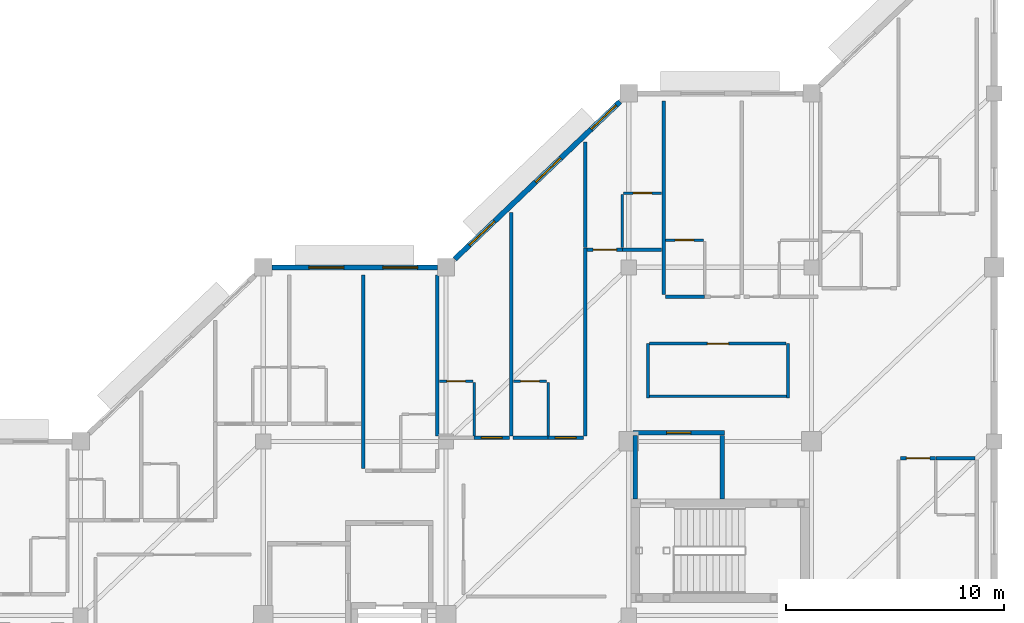
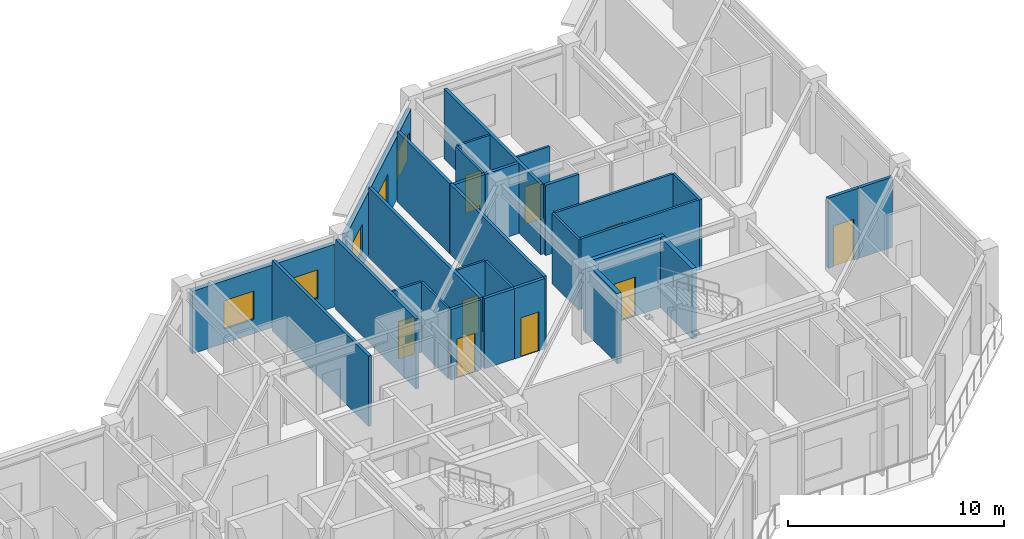
# One storey, part 15 of 22: 30 walls, 10 doors, 5 windows, 15 openings.
"""IFC4 building model written with IfcOpenShell, lengths in metres."""

from ifc_helpers import new_model, si_unit, direction, frame, frame_2d, origin, place, context, subcontext, project, spatial, rectangle, extrude, material, layer, layer_set, type_object, element, fill, save


model = new_model("IFC4")

# Units and contexts
model_context = context("Model", 3, precision=1e-05, world=origin(), true_north=direction((0.0, 1.0)))
body_context = subcontext(model_context, "Body", "Model", "MODEL_VIEW")
ifc_project = project(units=[si_unit("LENGTHUNIT", "METRE"), si_unit("AREAUNIT", "SQUARE_METRE"), si_unit("VOLUMEUNIT", "CUBIC_METRE"), si_unit("PLANEANGLEUNIT", "RADIAN"), si_unit("MASSUNIT", "GRAM", prefix="KILO")], contexts=[model_context])

# Site, building, storey
site_placement = place(None, origin())
site = spatial("IfcSite", under=ifc_project, at=site_placement, CompositionType="ELEMENT")
building_placement = place(site_placement, origin())
building = spatial("IfcBuilding", under=site, at=building_placement, Name="Naruveol Harbour Congress Hotel", CompositionType="ELEMENT")
storey_placement = place(building_placement, frame((0.0, 0.0, 21.0)))
storey = spatial("IfcBuildingStorey", under=building, at=storey_placement, Name="L04", CompositionType="ELEMENT", Elevation=21.0)

# Wall
ifc_material_1 = material(Name="Moisture-Resistant Gypsum Partition", Category="gypsum")
ifc_layer_1 = layer(ifc_material_1, 0.114990234375)
ifc_layer_set_1 = layer_set([ifc_layer_1], Name="Moisture-Resistant Gypsum Partition")
wall_type_1 = type_object("IfcWallType", Name="BATHROOM MOISTURE PARTITION WALL 115", PredefinedType="PARTITIONING", material=ifc_layer_set_1)
wall_1_placement = place(storey_placement, frame((160.889892578125, 32.260009765625, 0.0), z_axis=(0.0, 0.0, 1.0), x_axis=(0.0, 1.0, 0.0)))
element("IfcWall", 1, at=wall_1_placement, inside=storey, type_object=wall_type_1, Name="Bathroom east wall 0508 PW-115", PredefinedType="PARTITIONING", context=body_context, shape_type="SweptSolid", body=[
    extrude(rectangle(XDim=2.449951171875, YDim=0.114990234375, at=frame_2d((1.22509765625, 0.0))), origin(), (0.0, 0.0, 1.0), 3.965087890625),
])

# Wall, opening, door
wall_2_placement = place(storey_placement, frame((159.300048828125, 34.77001953125, 0.0), z_axis=(0.0, 0.0, 1.0), x_axis=(1.0, 0.0, 0.0)))
wall_2 = element("IfcWall", 2, at=wall_2_placement, inside=storey, type_object=wall_type_1, Name="Bathroom north wall 0508 PW-115", PredefinedType="PARTITIONING", context=body_context, shape_type="SweptSolid", body=[
    extrude(rectangle(XDim=1.530029296875, YDim=0.114990234375, at=frame_2d((0.76513671875, 0.0))), origin(), (0.0, 0.0, 1.0), 3.965087890625),
])
opening_1_placement = place(wall_2_placement, frame((0.3349609375, 0.0, 0.0)))
opening_1 = element("IfcOpeningElement", 3, at=opening_1_placement, cuts=wall_2, Name="Opening BD-RM0508", PredefinedType="OPENING", context=body_context, shape_type="SweptSolid", body=[
    extrude(rectangle(XDim=0.860107421875, YDim=2.1201171875, at=frame_2d((0.43017578125, 1.06005859375))), frame((0.0, 0.0673828125, 0.0), z_axis=(0.0, -1.0, 0.0), x_axis=(1.0, 0.0, 0.0)), (0.0, 0.0, 1.0), 0.135009765625),
])
ifc_material_2 = material(Name="Timber & Steel Acoustic Leaf", Category="steel")
door_type_1 = type_object("IfcDoorType", Name="GUEST BATHROOM DOOR 860X2120", OperationType="NOTDEFINED", PredefinedType="DOOR", material=ifc_material_2)
door_1_placement = place(opening_1_placement, origin())
door_1 = element("IfcDoor", 4, at=door_1_placement, inside=storey, type_object=door_type_1, Name="Bathroom Door 0508", OperationType="SINGLE_SWING_RIGHT", OverallHeight=2.1201171875, OverallWidth=0.860107421875, PredefinedType="DOOR", context=body_context, shape_type="SweptSolid", body=[
    extrude(rectangle(XDim=0.860107421875, YDim=2.1201171875, at=frame_2d((0.43017578125, 1.06005859375))), frame((0.0, 0.02490234375, 0.0), z_axis=(0.0, -1.0, 0.0), x_axis=(1.0, 0.0, 0.0)), (0.0, 0.0, 1.0), 0.050048828125),
])
fill(opening_1, door_1)

# Wall
wall_3_placement = place(storey_placement, frame((164.2900390625, 32.260009765625, 0.0), z_axis=(0.0, 0.0, 1.0), x_axis=(0.0, 1.0, 0.0)))
element("IfcWall", 5, at=wall_3_placement, inside=storey, type_object=wall_type_1, Name="Bathroom east wall 0509 PW-115", PredefinedType="PARTITIONING", context=body_context, shape_type="SweptSolid", body=[
    extrude(rectangle(XDim=2.449951171875, YDim=0.114990234375, at=frame_2d((1.22509765625, 0.0))), origin(), (0.0, 0.0, 1.0), 3.965087890625),
])

# Wall, opening, door
wall_4_placement = place(storey_placement, frame((162.699951171875, 34.77001953125, 0.0), z_axis=(0.0, 0.0, 1.0), x_axis=(1.0, 0.0, 0.0)))
wall_4 = element("IfcWall", 6, at=wall_4_placement, inside=storey, type_object=wall_type_1, Name="Bathroom north wall 0509 PW-115", PredefinedType="PARTITIONING", context=body_context, shape_type="SweptSolid", body=[
    extrude(rectangle(XDim=1.530029296875, YDim=0.114990234375, at=frame_2d((0.76513671875, 0.0))), origin(), (0.0, 0.0, 1.0), 3.965087890625),
])
opening_2_placement = place(wall_4_placement, frame((0.3349609375, 0.0, 0.0)))
opening_2 = element("IfcOpeningElement", 7, at=opening_2_placement, cuts=wall_4, Name="Opening BD-RM0509", PredefinedType="OPENING", context=body_context, shape_type="SweptSolid", body=[
    extrude(rectangle(XDim=0.860107421875, YDim=2.1201171875, at=frame_2d((0.43017578125, 1.06005859375))), frame((0.0, 0.0673828125, 0.0), z_axis=(0.0, -1.0, 0.0), x_axis=(1.0, 0.0, 0.0)), (0.0, 0.0, 1.0), 0.135009765625),
])
door_2_placement = place(opening_2_placement, origin())
door_2 = element("IfcDoor", 8, at=door_2_placement, inside=storey, type_object=door_type_1, Name="Bathroom Door 0509", OperationType="SINGLE_SWING_RIGHT", OverallHeight=2.1201171875, OverallWidth=0.860107421875, PredefinedType="DOOR", context=body_context, shape_type="SweptSolid", body=[
    extrude(rectangle(XDim=0.860107421875, YDim=2.1201171875, at=frame_2d((0.43017578125, 1.06005859375))), frame((0.0, 0.02490234375, 0.0), z_axis=(0.0, -1.0, 0.0), x_axis=(1.0, 0.0, 0.0)), (0.0, 0.0, 1.0), 0.050048828125),
])
fill(opening_2, door_2)

# Wall
wall_5_placement = place(storey_placement, frame((167.7099609375, 40.909912109375, 0.0), z_axis=(0.0, 0.0, 1.0), x_axis=(0.0, 1.0, 0.0)))
element("IfcWall", 9, at=wall_5_placement, inside=storey, type_object=wall_type_1, Name="Bathroom west wall 0510 PW-115", PredefinedType="PARTITIONING", context=body_context, shape_type="SweptSolid", body=[
    extrude(rectangle(XDim=2.4501953125, YDim=0.114990234375, at=frame_2d((1.22509765625, 0.0))), origin(), (0.0, 0.0, 1.0), 3.965087890625),
])

# Wall, opening, door
wall_6_placement = place(storey_placement, frame((167.77001953125, 43.419921875, 0.0), z_axis=(0.0, 0.0, 1.0), x_axis=(1.0, 0.0, 0.0)))
wall_6 = element("IfcWall", 10, at=wall_6_placement, inside=storey, type_object=wall_type_1, Name="Bathroom north wall 0510 PW-115", PredefinedType="PARTITIONING", context=body_context, shape_type="SweptSolid", body=[
    extrude(rectangle(XDim=1.72998046875, YDim=0.114990234375, at=frame_2d((0.864990234375, 0.0))), origin(), (0.0, 0.0, 1.0), 3.965087890625),
])
opening_3_placement = place(wall_6_placement, frame((0.43505859375, 0.0, 0.0)))
opening_3 = element("IfcOpeningElement", 11, at=opening_3_placement, cuts=wall_6, Name="Opening BD-RM0510", PredefinedType="OPENING", context=body_context, shape_type="SweptSolid", body=[
    extrude(rectangle(XDim=0.860107421875, YDim=2.1201171875, at=frame_2d((0.43017578125, 1.06005859375))), frame((0.0, 0.0673828125, 0.0), z_axis=(0.0, -1.0, 0.0), x_axis=(1.0, 0.0, 0.0)), (0.0, 0.0, 1.0), 0.135009765625),
])
door_3_placement = place(opening_3_placement, origin())
door_3 = element("IfcDoor", 12, at=door_3_placement, inside=storey, type_object=door_type_1, Name="Bathroom Door 0510", OperationType="SINGLE_SWING_RIGHT", OverallHeight=2.1201171875, OverallWidth=0.860107421875, PredefinedType="DOOR", context=body_context, shape_type="SweptSolid", body=[
    extrude(rectangle(XDim=0.860107421875, YDim=2.1201171875, at=frame_2d((0.43017578125, 1.06005859375))), frame((0.0, 0.02490234375, 0.0), z_axis=(0.0, -1.0, 0.0), x_axis=(1.0, 0.0, 0.0)), (0.0, 0.0, 1.0), 0.050048828125),
])
fill(opening_3, door_3)

wall_7_placement = place(storey_placement, frame((169.699951171875, 41.260009765625, 0.0), z_axis=(0.0, 0.0, 1.0), x_axis=(1.0, 0.0, 0.0)))
wall_7 = element("IfcWall", 13, at=wall_7_placement, inside=storey, type_object=wall_type_1, Name="Bathroom north wall 0511 PW-115", PredefinedType="PARTITIONING", context=body_context, shape_type="SweptSolid", body=[
    extrude(rectangle(XDim=1.72998046875, YDim=0.114990234375, at=frame_2d((0.864990234375, 0.0))), origin(), (0.0, 0.0, 1.0), 3.965087890625),
])
opening_4_placement = place(wall_7_placement, frame((0.43505859375, 0.0, 0.0)))
opening_4 = element("IfcOpeningElement", 14, at=opening_4_placement, cuts=wall_7, Name="Opening BD-RM0511", PredefinedType="OPENING", context=body_context, shape_type="SweptSolid", body=[
    extrude(rectangle(XDim=0.860107421875, YDim=2.1201171875, at=frame_2d((0.43017578125, 1.06005859375))), frame((0.0, 0.0673828125, 0.0), z_axis=(0.0, -1.0, 0.0), x_axis=(1.0, 0.0, 0.0)), (0.0, 0.0, 1.0), 0.135009765625),
])
door_4_placement = place(opening_4_placement, origin())
door_4 = element("IfcDoor", 15, at=door_4_placement, inside=storey, type_object=door_type_1, Name="Bathroom Door 0511", OperationType="SINGLE_SWING_RIGHT", OverallHeight=2.1201171875, OverallWidth=0.860107421875, PredefinedType="DOOR", context=body_context, shape_type="SweptSolid", body=[
    extrude(rectangle(XDim=0.860107421875, YDim=2.1201171875, at=frame_2d((0.43017578125, 1.06005859375))), frame((0.0, 0.02490234375, 0.0), z_axis=(0.0, -1.0, 0.0), x_axis=(1.0, 0.0, 0.0)), (0.0, 0.0, 1.0), 0.050048828125),
])
fill(opening_4, door_4)

# Wall
ifc_material_3 = material(Name="Concrete C40/50", Category="concrete")
ifc_layer_2 = layer(ifc_material_3, 0.219970703125)
ifc_layer_set_2 = layer_set([ifc_layer_2], Name="Concrete C40/50")
wall_type_2 = type_object("IfcWallType", Name="FIRE COMPARTMENT AND LOBBY WALL 220 EI120", PredefinedType="PARTITIONING", material=ifc_layer_set_2)
wall_8_placement = place(storey_placement, frame((168.300048828125, 29.364990234375, 0.0), z_axis=(0.0, 0.0, 1.0), x_axis=(0.0, 1.0, 0.0)))
element("IfcWall", 16, at=wall_8_placement, inside=storey, type_object=wall_type_2, Name="Smoke vestibule ST4 west wall FW-220", PredefinedType="PARTITIONING", context=body_context, shape_type="SweptSolid", body=[
    extrude(rectangle(XDim=2.919921875, YDim=0.219970703125, at=frame_2d((1.4599609375, 0.0))), origin(), (0.0, 0.0, 1.0), 3.965087890625),
])

# Wall, opening, door
wall_9_placement = place(storey_placement, frame((168.18994140625, 32.39990234375, 0.0), z_axis=(0.0, 0.0, 1.0), x_axis=(1.0, 0.0, 0.0)))
wall_9 = element("IfcWall", 17, at=wall_9_placement, inside=storey, type_object=wall_type_2, Name="Smoke vestibule ST4 north wall FW-220", PredefinedType="PARTITIONING", context=body_context, shape_type="SweptSolid", body=[
    extrude(rectangle(XDim=4.219970703125, YDim=0.219970703125, at=frame_2d((2.10986328125, 0.0))), origin(), (0.0, 0.0, 1.0), 3.965087890625),
])
opening_5_placement = place(wall_9_placement, frame((1.550048828125, 0.0, 0.0)))
opening_5 = element("IfcOpeningElement", 18, at=opening_5_placement, cuts=wall_9, Name="Opening FD-ST4-V-L04", PredefinedType="OPENING", context=body_context, shape_type="SweptSolid", body=[
    extrude(rectangle(XDim=1.1201171875, YDim=2.199951171875, at=frame_2d((0.56005859375, 1.10009765625))), frame((0.0, 0.119873046875, 0.0), z_axis=(0.0, -1.0, 0.0), x_axis=(1.0, 0.0, 0.0)), (0.0, 0.0, 1.0), 0.239990234375),
])
ifc_material_4 = material(Name="Timber & Steel Acoustic Leaf", Category="steel")
door_type_2 = type_object("IfcDoorType", Name="VESTIBULE SMOKE CONTROL FIRE DOOR 1120X2200", OperationType="NOTDEFINED", PredefinedType="DOOR", material=ifc_material_4)
door_5_placement = place(opening_5_placement, origin())
door_5 = element("IfcDoor", 19, at=door_5_placement, inside=storey, type_object=door_type_2, Name="Smoke Vestibule Entry Door ST4 L04", OperationType="SINGLE_SWING_LEFT", OverallHeight=2.199951171875, OverallWidth=1.1201171875, PredefinedType="DOOR", context=body_context, shape_type="SweptSolid", body=[
    extrude(rectangle(XDim=1.1201171875, YDim=2.199951171875, at=frame_2d((0.56005859375, 1.10009765625))), frame((0.0, 0.02490234375, 0.0), z_axis=(0.0, -1.0, 0.0), x_axis=(1.0, 0.0, 0.0)), (0.0, 0.0, 1.0), 0.050048828125),
])
fill(opening_5, door_5)

# Walls
wall_10_placement = place(storey_placement, frame((172.300048828125, 29.364990234375, 0.0), z_axis=(0.0, 0.0, 1.0), x_axis=(0.0, 1.0, 0.0)))
element("IfcWall", 20, at=wall_10_placement, inside=storey, type_object=wall_type_2, Name="Smoke vestibule ST4 east wall FW-220", PredefinedType="PARTITIONING", context=body_context, shape_type="SweptSolid", body=[
    extrude(rectangle(XDim=2.919921875, YDim=0.219970703125, at=frame_2d((1.4599609375, 0.0))), origin(), (0.0, 0.0, 1.0), 3.965087890625),
])
ifc_material_5 = material(Name="Autoclaved Aerated Concrete Block", Category="concrete")
ifc_layer_3 = layer(ifc_material_5, 0.159912109375)
ifc_layer_set_3 = layer_set([ifc_layer_3], Name="Autoclaved Aerated Concrete Block")
wall_type_3 = type_object("IfcWallType", Name="HOTEL PARTY AND CORRIDOR WALL 160 EI60", PredefinedType="PARTITIONING", material=ifc_layer_set_3)
wall_11_placement = place(storey_placement, frame((155.800048828125, 30.75, 0.0), z_axis=(0.0, 0.0, 1.0), x_axis=(0.0, 1.0, 0.0)))
element("IfcWall", 21, at=wall_11_placement, inside=storey, type_object=wall_type_3, Name="Hotel party wall 0507 PW-160", PredefinedType="PARTITIONING", context=body_context, shape_type="SweptSolid", body=[
    extrude(rectangle(XDim=8.909912109375, YDim=0.159912109375, at=frame_2d((4.455078125, 0.0))), origin(), (0.0, 0.0, 1.0), 3.965087890625),
])

# Wall, opening, door
wall_12_placement = place(storey_placement, frame((160.889892578125, 32.169921875, 0.0), z_axis=(0.0, 0.0, 1.0), x_axis=(1.0, 0.0, 0.0)))
wall_12 = element("IfcWall", 22, at=wall_12_placement, inside=storey, type_object=wall_type_3, Name="Corridor entry wall 0508 PW-160", PredefinedType="PARTITIONING", context=body_context, shape_type="SweptSolid", body=[
    extrude(rectangle(XDim=1.6201171875, YDim=0.159912109375, at=frame_2d((0.81005859375, 0.0))), origin(), (0.0, 0.0, 1.0), 3.965087890625),
])
opening_6_placement = place(wall_12_placement, frame((0.330078125, 0.0, 0.0)))
opening_6 = element("IfcOpeningElement", 23, at=opening_6_placement, cuts=wall_12, Name="Opening FD-RM0508", PredefinedType="OPENING", context=body_context, shape_type="SweptSolid", body=[
    extrude(rectangle(XDim=0.9599609375, YDim=2.199951171875, at=frame_2d((0.47998046875, 1.10009765625))), frame((0.0, 0.08984375, 0.0), z_axis=(0.0, -1.0, 0.0), x_axis=(1.0, 0.0, 0.0)), (0.0, 0.0, 1.0), 0.179931640625),
])
ifc_material_6 = material(Name="Timber & Steel Acoustic Leaf", Category="steel")
door_type_3 = type_object("IfcDoorType", Name="GUEST ROOM ENTRANCE FIRE DOOR 960X2200", OperationType="NOTDEFINED", PredefinedType="DOOR", material=ifc_material_6)
door_6_placement = place(opening_6_placement, origin())
door_6 = element("IfcDoor", 24, at=door_6_placement, inside=storey, type_object=door_type_3, Name="Hotel Room Door 0508", OperationType="SINGLE_SWING_LEFT", OverallHeight=2.199951171875, OverallWidth=0.9599609375, PredefinedType="DOOR", context=body_context, shape_type="SweptSolid", body=[
    extrude(rectangle(XDim=0.9599609375, YDim=2.199951171875, at=frame_2d((0.47998046875, 1.10009765625))), frame((0.0, 0.02490234375, 0.0), z_axis=(0.0, -1.0, 0.0), x_axis=(1.0, 0.0, 0.0)), (0.0, 0.0, 1.0), 0.050048828125),
])
fill(opening_6, door_6)

# Walls
wall_13_placement = place(storey_placement, frame((159.199951171875, 32.260009765625, 0.0), z_axis=(0.0, 0.0, 1.0), x_axis=(0.0, 1.0, 0.0)))
element("IfcWall", 25, at=wall_13_placement, inside=storey, type_object=wall_type_3, Name="Hotel party wall 0508 PW-160", PredefinedType="PARTITIONING", context=body_context, shape_type="SweptSolid", body=[
    extrude(rectangle(XDim=7.39990234375, YDim=0.159912109375, at=frame_2d((3.699951171875, 0.0))), origin(), (0.0, 0.0, 1.0), 3.965087890625),
])
wall_14_placement = place(storey_placement, frame((162.68994140625, 32.169921875, 0.0), z_axis=(0.0, 0.0, 1.0), x_axis=(1.0, 0.0, 0.0)))
element("IfcWall", 26, at=wall_14_placement, inside=storey, type_object=wall_type_3, Name="Corridor wall 0509B PW-160", PredefinedType="PARTITIONING", context=body_context, shape_type="SweptSolid", body=[
    extrude(rectangle(XDim=1.590087890625, YDim=0.159912109375, at=frame_2d((0.794921875, 0.0))), origin(), (0.0, 0.0, 1.0), 3.965087890625),
])

# Wall, opening, door
wall_15_placement = place(storey_placement, frame((164.2900390625, 32.169921875, 0.0), z_axis=(0.0, 0.0, 1.0), x_axis=(1.0, 0.0, 0.0)))
wall_15 = element("IfcWall", 27, at=wall_15_placement, inside=storey, type_object=wall_type_3, Name="Corridor entry wall 0509 PW-160", PredefinedType="PARTITIONING", context=body_context, shape_type="SweptSolid", body=[
    extrude(rectangle(XDim=1.619873046875, YDim=0.159912109375, at=frame_2d((0.81005859375, 0.0))), origin(), (0.0, 0.0, 1.0), 3.965087890625),
])
opening_7_placement = place(wall_15_placement, frame((0.330078125, 0.0, 0.0)))
opening_7 = element("IfcOpeningElement", 28, at=opening_7_placement, cuts=wall_15, Name="Opening FD-RM0509", PredefinedType="OPENING", context=body_context, shape_type="SweptSolid", body=[
    extrude(rectangle(XDim=0.9599609375, YDim=2.199951171875, at=frame_2d((0.47998046875, 1.10009765625))), frame((0.0, 0.08984375, 0.0), z_axis=(0.0, -1.0, 0.0), x_axis=(1.0, 0.0, 0.0)), (0.0, 0.0, 1.0), 0.179931640625),
])
door_7_placement = place(opening_7_placement, origin())
door_7 = element("IfcDoor", 29, at=door_7_placement, inside=storey, type_object=door_type_3, Name="Hotel Room Door 0509", OperationType="SINGLE_SWING_LEFT", OverallHeight=2.199951171875, OverallWidth=0.9599609375, PredefinedType="DOOR", context=body_context, shape_type="SweptSolid", body=[
    extrude(rectangle(XDim=0.9599609375, YDim=2.199951171875, at=frame_2d((0.47998046875, 1.10009765625))), frame((0.0, 0.02490234375, 0.0), z_axis=(0.0, -1.0, 0.0), x_axis=(1.0, 0.0, 0.0)), (0.0, 0.0, 1.0), 0.050048828125),
])
fill(opening_7, door_7)

# Walls
wall_16_placement = place(storey_placement, frame((162.60009765625, 32.260009765625, 0.0), z_axis=(0.0, 0.0, 1.0), x_axis=(0.0, 1.0, 0.0)))
element("IfcWall", 30, at=wall_16_placement, inside=storey, type_object=wall_type_3, Name="Hotel party wall 0509 PW-160", PredefinedType="PARTITIONING", context=body_context, shape_type="SweptSolid", body=[
    extrude(rectangle(XDim=10.260009765625, YDim=0.159912109375, at=frame_2d((5.1298828125, 0.0))), origin(), (0.0, 0.0, 1.0), 3.965087890625),
])
wall_17_placement = place(storey_placement, frame((166.0, 32.260009765625, 0.0), z_axis=(0.0, 0.0, 1.0), x_axis=(0.0, 1.0, 0.0)))
element("IfcWall", 31, at=wall_17_placement, inside=storey, type_object=wall_type_3, Name="Hotel end party wall 0509 PW-160", PredefinedType="PARTITIONING", context=body_context, shape_type="SweptSolid", body=[
    extrude(rectangle(XDim=8.639892578125, YDim=0.159912109375, at=frame_2d((4.31982421875, 0.0))), origin(), (0.0, 0.0, 1.0), 3.965087890625),
])

# Wall, opening, door
wall_18_placement = place(storey_placement, frame((166.090087890625, 40.820068359375, 0.0), z_axis=(0.0, 0.0, 1.0), x_axis=(1.0, 0.0, 0.0)))
wall_18 = element("IfcWall", 32, at=wall_18_placement, inside=storey, type_object=wall_type_3, Name="Corridor entry wall 0510 PW-160", PredefinedType="PARTITIONING", context=body_context, shape_type="SweptSolid", body=[
    extrude(rectangle(XDim=1.619873046875, YDim=0.159912109375, at=frame_2d((0.81005859375, 0.0))), origin(), (0.0, 0.0, 1.0), 3.965087890625),
])
opening_8_placement = place(wall_18_placement, frame((0.27001953125, 0.0, 0.0)))
opening_8 = element("IfcOpeningElement", 33, at=opening_8_placement, cuts=wall_18, Name="Opening FD-RM0510", PredefinedType="OPENING", context=body_context, shape_type="SweptSolid", body=[
    extrude(rectangle(XDim=1.080078125, YDim=2.300048828125, at=frame_2d((0.5400390625, 1.14990234375))), frame((0.0, 0.08984375, 0.0), z_axis=(0.0, -1.0, 0.0), x_axis=(1.0, 0.0, 0.0)), (0.0, 0.0, 1.0), 0.179931640625),
])
ifc_material_7 = material(Name="Timber & Steel Acoustic Leaf", Category="steel")
door_type_4 = type_object("IfcDoorType", Name="SUITE ENTRANCE FIRE DOOR 1080X2300", OperationType="NOTDEFINED", PredefinedType="DOOR", material=ifc_material_7)
door_8_placement = place(opening_8_placement, origin())
door_8 = element("IfcDoor", 34, at=door_8_placement, inside=storey, type_object=door_type_4, Name="Hotel Room Door 0510", OperationType="SINGLE_SWING_LEFT", OverallHeight=2.300048828125, OverallWidth=1.080078125, PredefinedType="DOOR", context=body_context, shape_type="SweptSolid", body=[
    extrude(rectangle(XDim=1.080078125, YDim=2.300048828125, at=frame_2d((0.5400390625, 1.14990234375))), frame((0.0, 0.02490234375, 0.0), z_axis=(0.0, -1.0, 0.0), x_axis=(1.0, 0.0, 0.0)), (0.0, 0.0, 1.0), 0.050048828125),
])
fill(opening_8, door_8)

# Walls
wall_19_placement = place(storey_placement, frame((167.719970703125, 40.820068359375, 0.0), z_axis=(0.0, 0.0, 1.0), x_axis=(1.0, 0.0, 0.0)))
element("IfcWall", 35, at=wall_19_placement, inside=storey, type_object=wall_type_3, Name="Corridor wall 0510B PW-160", PredefinedType="PARTITIONING", context=body_context, shape_type="SweptSolid", body=[
    extrude(rectangle(XDim=1.7900390625, YDim=0.159912109375, at=frame_2d((0.89501953125, 0.0))), origin(), (0.0, 0.0, 1.0), 3.965087890625),
])
wall_20_placement = place(storey_placement, frame((166.0, 40.909912109375, 0.0), z_axis=(0.0, 0.0, 1.0), x_axis=(0.0, 1.0, 0.0)))
element("IfcWall", 36, at=wall_20_placement, inside=storey, type_object=wall_type_3, Name="Hotel party wall 0510 PW-160", PredefinedType="PARTITIONING", context=body_context, shape_type="SweptSolid", body=[
    extrude(rectangle(XDim=4.85009765625, YDim=0.159912109375, at=frame_2d((2.425048828125, 0.0))), origin(), (0.0, 0.0, 1.0), 3.965087890625),
])
wall_21_placement = place(storey_placement, frame((169.68994140625, 38.659912109375, 0.0), z_axis=(0.0, 0.0, 1.0), x_axis=(1.0, 0.0, 0.0)))
element("IfcWall", 37, at=wall_21_placement, inside=storey, type_object=wall_type_3, Name="Corridor wall 0511B PW-160", PredefinedType="PARTITIONING", context=body_context, shape_type="SweptSolid", body=[
    extrude(rectangle(XDim=1.7900390625, YDim=0.159912109375, at=frame_2d((0.89501953125, 0.0))), origin(), (0.0, 0.0, 1.0), 3.965087890625),
])
wall_22_placement = place(storey_placement, frame((169.60009765625, 38.75, 0.0), z_axis=(0.0, 0.0, 1.0), x_axis=(0.0, 1.0, 0.0)))
element("IfcWall", 38, at=wall_22_placement, inside=storey, type_object=wall_type_3, Name="Hotel party wall 0511 PW-160", PredefinedType="PARTITIONING", context=body_context, shape_type="SweptSolid", body=[
    extrude(rectangle(XDim=8.909912109375, YDim=0.159912109375, at=frame_2d((4.455078125, 0.0))), origin(), (0.0, 0.0, 1.0), 3.965087890625),
])

# Wall, opening, door
wall_23_placement = place(storey_placement, frame((180.489990234375, 31.22998046875, 0.0), z_axis=(0.0, 0.0, 1.0), x_axis=(1.0, 0.0, 0.0)))
wall_23 = element("IfcWall", 39, at=wall_23_placement, inside=storey, type_object=wall_type_3, Name="Corridor entry wall 0595 PW-160", PredefinedType="PARTITIONING", context=body_context, shape_type="SweptSolid", body=[
    extrude(rectangle(XDim=1.6201171875, YDim=0.159912109375, at=frame_2d((0.81005859375, 0.0))), origin(), (0.0, 0.0, 1.0), 3.965087890625),
])
opening_9_placement = place(wall_23_placement, frame((0.27001953125, 0.0, 0.0)))
opening_9 = element("IfcOpeningElement", 40, at=opening_9_placement, cuts=wall_23, Name="Opening FD-RM0595", PredefinedType="OPENING", context=body_context, shape_type="SweptSolid", body=[
    extrude(rectangle(XDim=1.080078125, YDim=2.300048828125, at=frame_2d((0.5400390625, 1.14990234375))), frame((0.0, 0.08984375, 0.0), z_axis=(0.0, -1.0, 0.0), x_axis=(1.0, 0.0, 0.0)), (0.0, 0.0, 1.0), 0.179931640625),
])
door_9_placement = place(opening_9_placement, origin())
door_9 = element("IfcDoor", 41, at=door_9_placement, inside=storey, type_object=door_type_4, Name="Hotel Room Door 0595", OperationType="SINGLE_SWING_LEFT", OverallHeight=2.300048828125, OverallWidth=1.080078125, PredefinedType="DOOR", context=body_context, shape_type="SweptSolid", body=[
    extrude(rectangle(XDim=1.080078125, YDim=2.300048828125, at=frame_2d((0.5400390625, 1.14990234375))), frame((0.0, 0.02490234375, 0.0), z_axis=(0.0, -1.0, 0.0), x_axis=(1.0, 0.0, 0.0)), (0.0, 0.0, 1.0), 0.050048828125),
])
fill(opening_9, door_9)

# Wall
wall_24_placement = place(storey_placement, frame((182.1201171875, 31.22998046875, 0.0), z_axis=(0.0, 0.0, 1.0), x_axis=(1.0, 0.0, 0.0)))
element("IfcWall", 42, at=wall_24_placement, inside=storey, type_object=wall_type_3, Name="Corridor wall 0595B PW-160", PredefinedType="PARTITIONING", context=body_context, shape_type="SweptSolid", body=[
    extrude(rectangle(XDim=1.789794921875, YDim=0.159912109375, at=frame_2d((0.89501953125, 0.0))), origin(), (0.0, 0.0, 1.0), 3.965087890625),
])

# Wall, openings, windows
ifc_material_8 = material(Name="Concrete C40/50", Category="concrete")
ifc_layer_4 = layer(ifc_material_8, 0.239990234375)
ifc_layer_set_4 = layer_set([ifc_layer_4], Name="Concrete C40/50")
wall_type_4 = type_object("IfcWallType", Name="INSULATED HOTEL SPANDREL WALL 240", PredefinedType="SOLIDWALL", material=ifc_layer_set_4)
wall_25_placement = place(storey_placement, frame((151.60009765625, 40.0, 0.0), z_axis=(0.0, 0.0, 1.0), x_axis=(1.0, 0.0, 0.0)))
wall_25 = element("IfcWall", 43, at=wall_25_placement, inside=storey, type_object=wall_type_4, Name="Hotel north bay wall L04 EW-240", PredefinedType="SOLIDWALL", context=body_context, shape_type="SweptSolid", body=[
    extrude(rectangle(XDim=7.599853515625, YDim=0.239990234375, at=frame_2d((3.7998046875, 0.0))), origin(), (0.0, 0.0, 1.0), 3.530029296875),
])
opening_10_placement = place(wall_25_placement, frame((1.699951171875, 0.0, 0.800048828125)))
opening_10 = element("IfcOpeningElement", 44, at=opening_10_placement, cuts=wall_25, Name="Opening W-03", PredefinedType="OPENING", context=body_context, shape_type="SweptSolid", body=[
    extrude(rectangle(XDim=1.60009765625, YDim=1.60009765625, at=frame_2d((0.800048828125, 0.800048828125))), frame((0.0, 0.1298828125, 0.0), z_axis=(0.0, -1.0, 0.0), x_axis=(1.0, 0.0, 0.0)), (0.0, 0.0, 1.0), 0.260009765625),
])
opening_11_placement = place(wall_25_placement, frame((5.10009765625, 0.0, 0.800048828125)))
opening_11 = element("IfcOpeningElement", 45, at=opening_11_placement, cuts=wall_25, Name="Opening W-03", PredefinedType="OPENING", context=body_context, shape_type="SweptSolid", body=[
    extrude(rectangle(XDim=1.60009765625, YDim=1.60009765625, at=frame_2d((0.800048828125, 0.800048828125))), frame((0.0, 0.1298828125, 0.0), z_axis=(0.0, -1.0, 0.0), x_axis=(1.0, 0.0, 0.0)), (0.0, 0.0, 1.0), 0.260009765625),
])
ifc_material_9 = material(Name="Low-E Triple Glazing in Thermal Aluminium", Category="aluminium")
window_type = type_object("IfcWindowType", Name="DELUXE GUEST WINDOW 1600X1600", PartitioningType="SINGLE_PANEL", PredefinedType="WINDOW", material=ifc_material_9)
window_1_placement = place(opening_10_placement, origin())
window_1 = element("IfcWindow", 46, at=window_1_placement, inside=storey, type_object=window_type, Name="Window W-03 #287", OverallHeight=1.60009765625, OverallWidth=1.60009765625, PartitioningType="SINGLE_PANEL", PredefinedType="WINDOW", context=body_context, shape_type="SweptSolid", body=[
    extrude(rectangle(XDim=1.60009765625, YDim=1.60009765625, at=frame_2d((0.800048828125, 0.800048828125))), frame((0.0, 0.030029296875, 0.0), z_axis=(0.0, -1.0, 0.0), x_axis=(1.0, 0.0, 0.0)), (0.0, 0.0, 1.0), 0.06005859375),
])
fill(opening_10, window_1)
window_2_placement = place(opening_11_placement, origin())
window_2 = element("IfcWindow", 47, at=window_2_placement, inside=storey, type_object=window_type, Name="Window W-03 #288", OverallHeight=1.60009765625, OverallWidth=1.60009765625, PartitioningType="SINGLE_PANEL", PredefinedType="WINDOW", context=body_context, shape_type="SweptSolid", body=[
    extrude(rectangle(XDim=1.60009765625, YDim=1.60009765625, at=frame_2d((0.800048828125, 0.800048828125))), frame((0.0, 0.030029296875, 0.0), z_axis=(0.0, -1.0, 0.0), x_axis=(1.0, 0.0, 0.0)), (0.0, 0.0, 1.0), 0.06005859375),
])
fill(opening_11, window_2)

wall_26_placement = place(storey_placement, frame((160.0, 40.381103515625, 0.0), z_axis=(0.0, 0.0, 1.0), x_axis=(0.724156739794, 0.689635422677, 0.0)))
wall_26 = element("IfcWall", 48, at=wall_26_placement, inside=storey, type_object=wall_type_4, Name="Hotel north bay wall L04 EW-240", PredefinedType="SOLIDWALL", context=body_context, shape_type="SweptSolid", body=[
    extrude(rectangle(XDim=10.4951171875, YDim=0.239990234375, at=frame_2d((5.24755859375, 0.0))), origin(), (0.0, 0.0, 1.0), 3.530029296875),
])
opening_12_placement = place(wall_26_placement, frame((0.926025390625, 0.0, 0.800048828125)))
opening_12 = element("IfcOpeningElement", 49, at=opening_12_placement, cuts=wall_26, Name="Opening W-03", PredefinedType="OPENING", context=body_context, shape_type="SweptSolid", body=[
    extrude(rectangle(XDim=1.60009765625, YDim=1.60009765625, at=frame_2d((0.800048828125, 0.800048828125))), frame((0.0, 0.1298828125, 0.0), z_axis=(0.0, -1.0, 0.0), x_axis=(1.0, 0.0, 0.0)), (0.0, 0.0, 1.0), 0.260009765625),
])
opening_13_placement = place(wall_26_placement, frame((5.137939453125, 0.0, 0.800048828125)))
opening_13 = element("IfcOpeningElement", 50, at=opening_13_placement, cuts=wall_26, Name="Opening W-03", PredefinedType="OPENING", context=body_context, shape_type="SweptSolid", body=[
    extrude(rectangle(XDim=1.60009765625, YDim=1.60009765625, at=frame_2d((0.800048828125, 0.800048828125))), frame((0.0, 0.1298828125, 0.0), z_axis=(0.0, -1.0, 0.0), x_axis=(1.0, 0.0, 0.0)), (0.0, 0.0, 1.0), 0.260009765625),
])
opening_14_placement = place(wall_26_placement, frame((8.658935546875, 0.0, 0.800048828125)))
opening_14 = element("IfcOpeningElement", 51, at=opening_14_placement, cuts=wall_26, Name="Opening W-03", PredefinedType="OPENING", context=body_context, shape_type="SweptSolid", body=[
    extrude(rectangle(XDim=1.60009765625, YDim=1.60009765625, at=frame_2d((0.800048828125, 0.800048828125))), frame((0.0, 0.1298828125, 0.0), z_axis=(0.0, -1.0, 0.0), x_axis=(1.0, 0.0, 0.0)), (0.0, 0.0, 1.0), 0.260009765625),
])
window_3_placement = place(opening_12_placement, origin())
window_3 = element("IfcWindow", 52, at=window_3_placement, inside=storey, type_object=window_type, Name="Window W-03 #291", OverallHeight=1.60009765625, OverallWidth=1.60009765625, PartitioningType="SINGLE_PANEL", PredefinedType="WINDOW", context=body_context, shape_type="SweptSolid", body=[
    extrude(rectangle(XDim=1.60009765625, YDim=1.60009765625, at=frame_2d((0.800048828125, 0.800048828125))), frame((0.0, 0.030029296875, 0.0), z_axis=(0.0, -1.0, 0.0), x_axis=(1.0, 0.0, 0.0)), (0.0, 0.0, 1.0), 0.06005859375),
])
fill(opening_12, window_3)
window_4_placement = place(opening_13_placement, origin())
window_4 = element("IfcWindow", 53, at=window_4_placement, inside=storey, type_object=window_type, Name="Window W-03 #292", OverallHeight=1.60009765625, OverallWidth=1.60009765625, PartitioningType="SINGLE_PANEL", PredefinedType="WINDOW", context=body_context, shape_type="SweptSolid", body=[
    extrude(rectangle(XDim=1.60009765625, YDim=1.60009765625, at=frame_2d((0.800048828125, 0.800048828125))), frame((0.0, 0.030029296875, 0.0), z_axis=(0.0, -1.0, 0.0), x_axis=(1.0, 0.0, 0.0)), (0.0, 0.0, 1.0), 0.06005859375),
])
fill(opening_13, window_4)
window_5_placement = place(opening_14_placement, origin())
window_5 = element("IfcWindow", 54, at=window_5_placement, inside=storey, type_object=window_type, Name="Window W-03 #293", OverallHeight=1.60009765625, OverallWidth=1.60009765625, PartitioningType="SINGLE_PANEL", PredefinedType="WINDOW", context=body_context, shape_type="SweptSolid", body=[
    extrude(rectangle(XDim=1.60009765625, YDim=1.60009765625, at=frame_2d((0.800048828125, 0.800048828125))), frame((0.0, 0.030029296875, 0.0), z_axis=(0.0, -1.0, 0.0), x_axis=(1.0, 0.0, 0.0)), (0.0, 0.0, 1.0), 0.06005859375),
])
fill(opening_14, window_5)

# Wall, opening, door
ifc_material_10 = material(Name="Acoustic Double Stud Gypsum", Category="gypsum")
ifc_layer_5 = layer(ifc_material_10, 0.125)
ifc_layer_set_5 = layer_set([ifc_layer_5], Name="Acoustic Double Stud Gypsum")
wall_type_5 = type_object("IfcWallType", Name="SERVICE CHASE PARTITION WALL 125", PredefinedType="PARTITIONING", material=ifc_layer_set_5)
wall_27_placement = place(storey_placement, frame((168.9599609375, 36.5, 0.0), z_axis=(0.0, 0.0, 1.0), x_axis=(1.0, 0.0, 0.0)))
wall_27 = element("IfcWall", 55, at=wall_27_placement, inside=storey, type_object=wall_type_5, Name="Accessible Restroom north entry wall PW-125", PredefinedType="PARTITIONING", context=body_context, shape_type="SweptSolid", body=[
    extrude(rectangle(XDim=6.280029296875, YDim=0.125, at=frame_2d((3.14013671875, 0.0))), origin(), (0.0, 0.0, 1.0), 3.965087890625),
])
opening_15_placement = place(wall_27_placement, frame((2.64990234375, 0.0, 0.0)))
opening_15 = element("IfcOpeningElement", 56, at=opening_15_placement, cuts=wall_27, Name="Opening BD-ACC-L04-100", PredefinedType="OPENING", context=body_context, shape_type="SweptSolid", body=[
    extrude(rectangle(XDim=0.97998046875, YDim=2.14990234375, at=frame_2d((0.489990234375, 1.074951171875))), frame((0.0, 0.072509765625, 0.0), z_axis=(0.0, -1.0, 0.0), x_axis=(1.0, 0.0, 0.0)), (0.0, 0.0, 1.0), 0.14501953125),
])
ifc_material_11 = material(Name="Timber & Steel Acoustic Leaf", Category="steel")
door_type_5 = type_object("IfcDoorType", Name="ACCESSIBLE RESTROOM DOOR 980X2150", OperationType="NOTDEFINED", PredefinedType="DOOR", material=ifc_material_11)
door_10_placement = place(opening_15_placement, origin())
door_10 = element("IfcDoor", 57, at=door_10_placement, inside=storey, type_object=door_type_5, Name="Accessible Restroom Door L04", OperationType="SINGLE_SWING_LEFT", OverallHeight=2.14990234375, OverallWidth=0.97998046875, PredefinedType="DOOR", context=body_context, shape_type="SweptSolid", body=[
    extrude(rectangle(XDim=0.97998046875, YDim=2.14990234375, at=frame_2d((0.489990234375, 1.074951171875))), frame((0.0, 0.02490234375, 0.0), z_axis=(0.0, -1.0, 0.0), x_axis=(1.0, 0.0, 0.0)), (0.0, 0.0, 1.0), 0.050048828125),
])
fill(opening_15, door_10)

# Walls
for number, where, z_axis, x_axis, name in (
    (58, (168.8798828125, 34.0, 0.0), (0.0, 0.0, 1.0), (0.0, 1.0, 0.0), "Accessible Restroom west enclosure partition PW-125"),
    (59, (175.320068359375, 34.0, 0.0), (0.0, 0.0, 1.0), (0.0, 1.0, 0.0), "Accessible Restroom east enclosure partition PW-125"),
):
    element("IfcWall", number, at=place(storey_placement, frame(where, z_axis=z_axis, x_axis=x_axis)), inside=storey, type_object=wall_type_5, Name=name, PredefinedType="PARTITIONING", context=body_context, shape_type="SweptSolid", body=[
        extrude(rectangle(XDim=2.49609375, YDim=0.125, at=frame_2d((1.248046875, 0.0))), origin(), (0.0, 0.0, 1.0), 3.965087890625),
    ])
wall_28_placement = place(storey_placement, frame((168.943115234375, 34.080078125, 0.0), z_axis=(0.0, 0.0, 1.0), x_axis=(1.0, 0.0, 0.0)))
element("IfcWall", 60, at=wall_28_placement, inside=storey, type_object=wall_type_5, Name="Accessible Restroom south enclosure partition PW-125", PredefinedType="PARTITIONING", context=body_context, shape_type="SweptSolid", body=[
    extrude(rectangle(XDim=6.31396484375, YDim=0.125, at=frame_2d((3.156982421875, 0.0))), origin(), (0.0, 0.0, 1.0), 3.965087890625),
])

save(model, "model.ifc")
